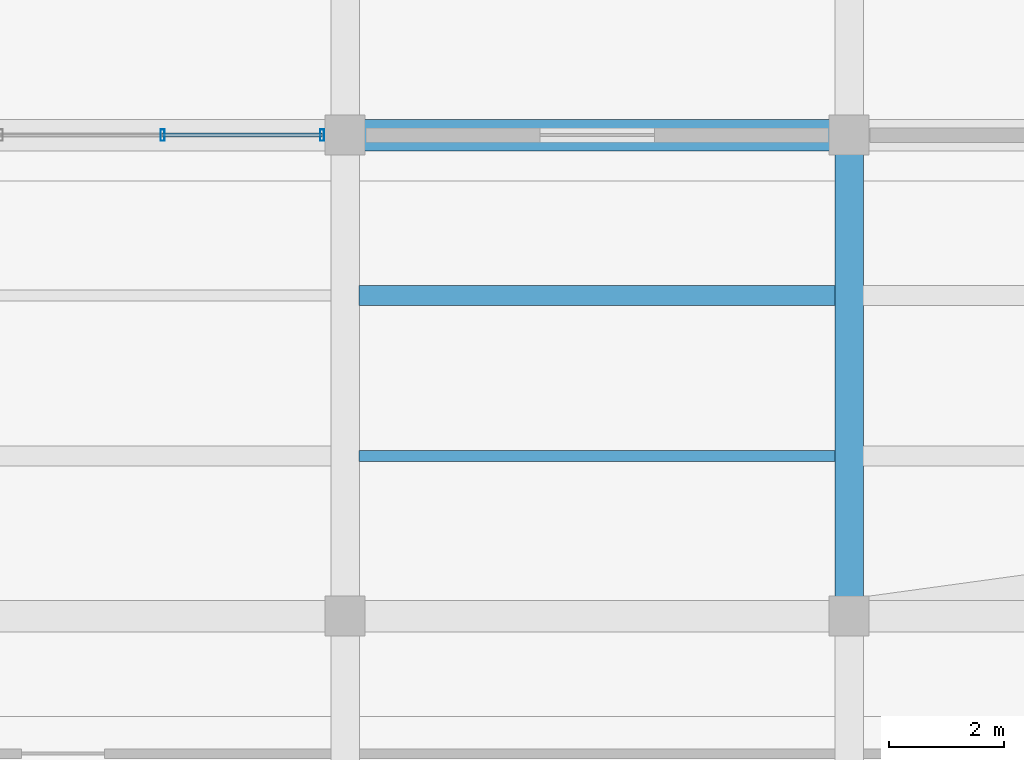
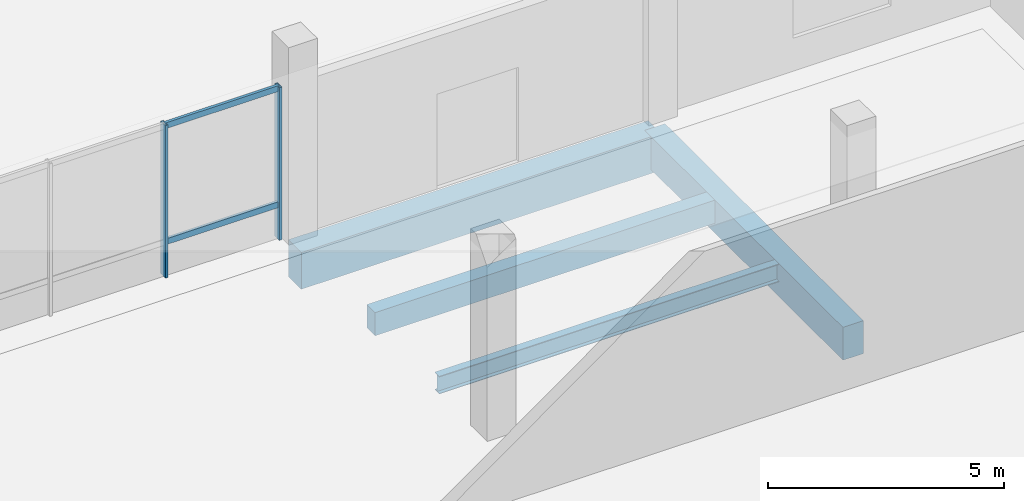
# One storey, part 25 of 73: 4 beams, 4 members, 1 element without a shape of its own.
"""IFC4 building model written with IfcOpenShell, lengths in metres."""

from ifc_helpers import new_model, si_unit, direction, frame, origin, origin_2d, place, context, subcontext, project, spatial, rectangle, hollow_rectangle, i_section, extrude, material, layer, layer_set, material_profile, profile_set, type_object, element, aggregate, save


model = new_model("IFC4")

# Units and contexts
model_context = context("Model", 3, precision=1e-05, world=origin(), true_north=direction((0.0, 1.0)))
body_context = subcontext(model_context, "Body", "Model", "MODEL_VIEW")
ifc_project = project(units=[si_unit("LENGTHUNIT", "METRE"), si_unit("AREAUNIT", "SQUARE_METRE"), si_unit("VOLUMEUNIT", "CUBIC_METRE"), si_unit("PLANEANGLEUNIT", "RADIAN"), si_unit("MASSUNIT", "GRAM", prefix="KILO")], contexts=[model_context])

# Site, building, storey
site_placement = place(None, origin())
site = spatial("IfcSite", under=ifc_project, at=site_placement, CompositionType="ELEMENT")
building_placement = place(site_placement, origin())
building = spatial("IfcBuilding", under=site, at=building_placement, Name="Meriwether Solvik Hall", CompositionType="ELEMENT")
storey_placement = place(building_placement, origin())
storey = spatial("IfcBuildingStorey", under=building, at=storey_placement, Name="L00", CompositionType="ELEMENT", Elevation=0.0)

# Beams
ifc_material_1 = material(Name="Concrete C40/50", Category="concrete")
ifc_material_profile_1 = material_profile(ifc_material_1, rectangle(XDim=0.35009765625, YDim=0.60009765625, at=origin_2d()), Name="RCB-350X600")
ifc_profile_set_1 = profile_set([ifc_material_profile_1], Name="Concrete C40/50")
beam_type_1 = type_object("IfcBeamType", Name="BM-RC-350X600", PredefinedType="JOIST", material=ifc_profile_set_1)
beam_1_placement = place(storey_placement, frame((41.844970703125, 72.39990234375, -0.659912109375), z_axis=(1.0, 0.0, 0.0), x_axis=(0.0, 1.0, 0.0)))
element("IfcBeam", 1, at=beam_1_placement, inside=storey, type_object=beam_type_1, Name="Secondary Floor Joist 5/H_J2 (L00)", PredefinedType="JOIST", context=body_context, shape_type="SweptSolid", body=[
    extrude(rectangle(XDim=0.35009765625, YDim=0.60009765625, at=origin_2d()), origin(), (0.0, 0.0, 1.0), 8.31005859375),
])
ifc_material_2 = material(Name="Concrete C40/50", Category="concrete")
ifc_material_profile_2 = material_profile(ifc_material_2, rectangle(XDim=0.5, YDim=0.85009765625, at=origin_2d()), Name="RCB-500X850")
ifc_profile_set_2 = profile_set([ifc_material_profile_2], Name="Concrete C40/50")
beam_type_2 = type_object("IfcBeamType", Name="BM-RC-500X850", PredefinedType="BEAM", material=ifc_profile_set_2)
beam_2_placement = place(storey_placement, frame((50.39990234375, 66.800048828125, -0.784912109375), z_axis=(0.0, 1.0, 0.0), x_axis=(-1.0, 0.0, 0.0)))
element("IfcBeam", 2, at=beam_2_placement, inside=storey, type_object=beam_type_2, Name="Podium Girder 6:H-I (L00)", PredefinedType="BEAM", context=body_context, shape_type="SweptSolid", body=[
    extrude(rectangle(XDim=0.5, YDim=0.85009765625, at=origin_2d()), origin(), (0.0, 0.0, 1.0), 8.39990234375),
])
ifc_material_3 = material(Name="Concrete C40/50", Category="concrete")
ifc_material_profile_3 = material_profile(ifc_material_3, rectangle(XDim=0.550048828125, YDim=0.949951171875, at=origin_2d()), Name="RCB-550X950")
ifc_profile_set_3 = profile_set([ifc_material_profile_3], Name="Concrete C40/50")
beam_type_3 = type_object("IfcBeamType", Name="BM-RC-550X950", PredefinedType="BEAM", material=ifc_profile_set_3)
beam_3_placement = place(storey_placement, frame((41.60009765625, 75.199951171875, -0.8349609375), z_axis=(1.0, 0.0, 0.0), x_axis=(0.0, 1.0, 0.0)))
element("IfcBeam", 3, at=beam_3_placement, inside=storey, type_object=beam_type_3, Name="Podium Girder I:5-6 (L00)", PredefinedType="BEAM", context=body_context, shape_type="SweptSolid", body=[
    extrude(rectangle(XDim=0.550048828125, YDim=0.949951171875, at=origin_2d()), origin(), (0.0, 0.0, 1.0), 8.7998046875),
])
ifc_material_4 = material(Name="Steel A992 Grade 50", Category="steel")
ifc_material_profile_4 = material_profile(ifc_material_4, i_section(OverallWidth=0.19091796875, OverallDepth=0.45703125, WebThickness=0.009033203125, FlangeThickness=0.014404296875, at=origin_2d()), Name="W18X50")
ifc_profile_set_4 = profile_set([ifc_material_profile_4], Name="Steel A992 Grade 50")
beam_type_4 = type_object("IfcBeamType", Name="BM-STL-W18X50", PredefinedType="JOIST", material=ifc_profile_set_4)
beam_4_placement = place(storey_placement, frame((41.844970703125, 69.60009765625, -0.58837890625), z_axis=(1.0, 0.0, 0.0), x_axis=(0.0, 1.0, 0.0)))
element("IfcBeam", 4, at=beam_4_placement, inside=storey, type_object=beam_type_4, Name="Secondary Floor Joist 5/H_J1 (L00)", PredefinedType="JOIST", context=body_context, shape_type="SweptSolid", body=[
    extrude(i_section(OverallWidth=0.19091796875, OverallDepth=0.45703125, WebThickness=0.009033203125, FlangeThickness=0.014404296875, at=origin_2d()), origin(), (0.0, 0.0, 1.0), 8.31005859375),
])

# Curtain wall, members
ifc_material_5 = material(Name="Thermally Broken Anodised Aluminium 6063-T6 and Low-E Glass", Category="aluminium")
ifc_layer = layer(ifc_material_5, 0.179931640625)
ifc_layer_set = layer_set([ifc_layer], Name="Thermally Broken Anodised Aluminium 6063-T6 and Low-E Glass")
curtain_wall_type = type_object("IfcCurtainWallType", Name="CW-SF-POD-A", PredefinedType="USERDEFINED", material=ifc_layer_set)
curtain_wall_placement = place(storey_placement, origin())
curtain_wall = element("IfcCurtainWall", 5, at=curtain_wall_placement, inside=storey, type_object=curtain_wall_type, Name="Curtain Wall wing_XI_4_19 (L00)", ObjectType="STICK STOREFRONT GLAZING", PredefinedType="USERDEFINED")
ifc_material_6 = material(Name="Anodised Aluminium 6063-T6", Category="aluminium")
ifc_material_profile_5 = material_profile(ifc_material_6, hollow_rectangle(XDim=0.070068359375, YDim=0.199951171875, WallThickness=0.0048828125, at=origin_2d()), Name="CWM-70X200")
ifc_profile_set_5 = profile_set([ifc_material_profile_5], Name="Anodised Aluminium 6063-T6")
member_type_1 = type_object("IfcMemberType", Name="CW-MUL-70X200", PredefinedType="MULLION", material=ifc_profile_set_5)
member_1_placement = place(storey_placement, frame((38.41259765625, 75.199951171875, 0.0), z_axis=(0.0, 0.0, 1.0), x_axis=(1.0, 0.0, 0.0)))
member_1 = element("IfcMember", 6, at=member_1_placement, type_object=member_type_1, Name="Curtain Wall Mullion 3", PredefinedType="MULLION", context=body_context, shape_type="SweptSolid", body=[
    extrude(hollow_rectangle(XDim=0.070068359375, YDim=0.199951171875, WallThickness=0.0048828125, at=origin_2d()), origin(), (0.0, 0.0, 1.0), 3.93994140625),
])
member_2_placement = place(storey_placement, frame((41.199951171875, 75.199951171875, 0.0), z_axis=(0.0, 0.0, 1.0), x_axis=(1.0, 0.0, 0.0)))
member_2 = element("IfcMember", 7, at=member_2_placement, type_object=member_type_1, Name="Curtain Wall Mullion 4", PredefinedType="MULLION", context=body_context, shape_type="SweptSolid", body=[
    extrude(hollow_rectangle(XDim=0.070068359375, YDim=0.199951171875, WallThickness=0.0048828125, at=origin_2d()), origin(), (0.0, 0.0, 1.0), 3.93994140625),
])
ifc_material_7 = material(Name="Anodised Aluminium 6063-T6", Category="aluminium")
ifc_material_profile_6 = material_profile(ifc_material_7, hollow_rectangle(XDim=0.070068359375, YDim=0.14990234375, WallThickness=0.0048828125, at=origin_2d()), Name="CWT-70X150")
ifc_profile_set_6 = profile_set([ifc_material_profile_6], Name="Anodised Aluminium 6063-T6")
member_type_2 = type_object("IfcMemberType", Name="CW-TRN-70X150", PredefinedType="USERDEFINED", material=ifc_profile_set_6)
member_3_placement = place(storey_placement, frame((38.41259765625, 75.199951171875, 0.8798828125), z_axis=(1.0, 0.0, 0.0), x_axis=(0.0, 1.0, 0.0)))
member_3 = element("IfcMember", 8, at=member_3_placement, type_object=member_type_2, Name="Curtain Wall Transom 3-sill", ObjectType="TRANSOM", PredefinedType="USERDEFINED", context=body_context, shape_type="SweptSolid", body=[
    extrude(hollow_rectangle(XDim=0.070068359375, YDim=0.14990234375, WallThickness=0.0048828125, at=origin_2d()), origin(), (0.0, 0.0, 1.0), 2.787353515625),
])
member_4_placement = place(storey_placement, frame((38.41259765625, 75.199951171875, 3.8798828125), z_axis=(1.0, 0.0, 0.0), x_axis=(0.0, 1.0, 0.0)))
member_4 = element("IfcMember", 9, at=member_4_placement, type_object=member_type_2, Name="Curtain Wall Transom 3-head", ObjectType="TRANSOM", PredefinedType="USERDEFINED", context=body_context, shape_type="SweptSolid", body=[
    extrude(hollow_rectangle(XDim=0.070068359375, YDim=0.14990234375, WallThickness=0.0048828125, at=origin_2d()), origin(), (0.0, 0.0, 1.0), 2.787353515625),
])
aggregate(curtain_wall, [member_1, member_2, member_3, member_4])

save(model, "model.ifc")
